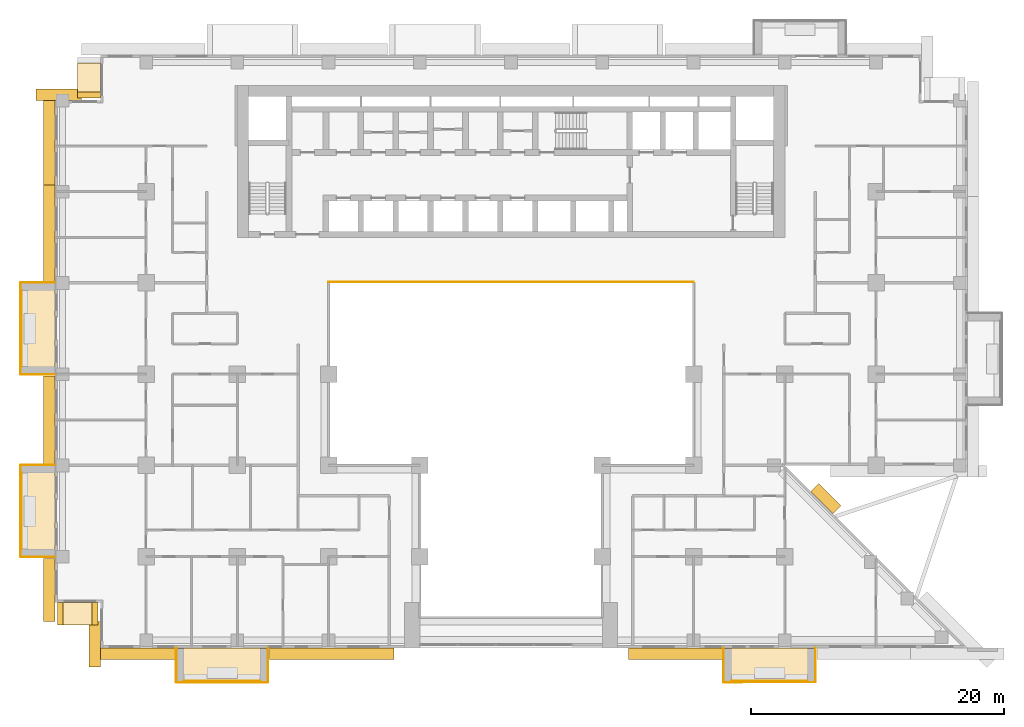
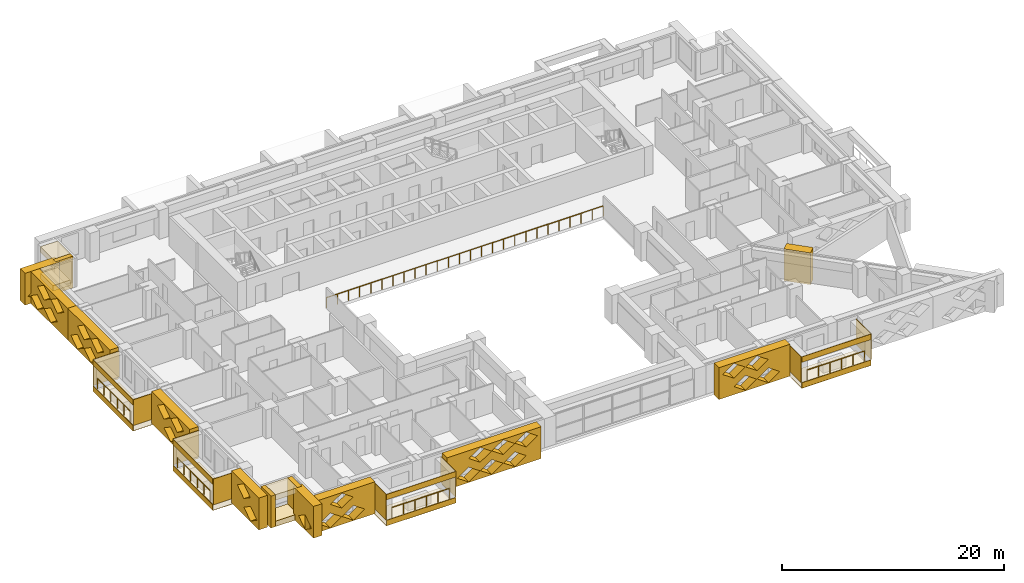
# One storey, part 13 of 16: 37 coverings, 5 railings.
"""IFC4 building model written with IfcOpenShell, lengths in metres."""

from ifc_helpers import new_model, si_unit, direction, frame, origin, origin_2d, place, context, subcontext, project, spatial, polyline, circle, outline, extrude, material, layer, layer_set, type_object, element, save


model = new_model("IFC4")

# Units and contexts
model_context = context("Model", 3, precision=1e-05, world=origin(), true_north=direction((0.0, 1.0)))
body_context = subcontext(model_context, "Body", "Model", "MODEL_VIEW")
ifc_project = project(units=[si_unit("LENGTHUNIT", "METRE"), si_unit("AREAUNIT", "SQUARE_METRE"), si_unit("VOLUMEUNIT", "CUBIC_METRE"), si_unit("PLANEANGLEUNIT", "RADIAN"), si_unit("MASSUNIT", "GRAM", prefix="KILO")], contexts=[model_context])

# Site, building, storey
site_placement = place(None, origin())
site = spatial("IfcSite", under=ifc_project, at=site_placement, CompositionType="ELEMENT")
building_placement = place(site_placement, origin())
building = spatial("IfcBuilding", under=site, at=building_placement, Name="Saffron Iwan Residences", CompositionType="ELEMENT")
storey_placement = place(building_placement, frame((0.0, 0.0, 69.0)))
storey = spatial("IfcBuildingStorey", under=building, at=storey_placement, Name="L17", CompositionType="ELEMENT", Elevation=69.0)

# Railings
ifc_material_1 = material(Name="Stainless steel 316", Category="steel")
railing_type_1 = type_object("IfcRailingType", Name="Atrium guard 1150", PredefinedType="GUARDRAIL", material=ifc_material_1)
railing_placement = place(storey_placement, frame((36.0, 62.47509765625, 0.0)))
element("IfcRailing", 1, at=railing_placement, inside=storey, type_object=railing_type_1, Name="Atrium guard L17", PredefinedType="GUARDRAIL", context=body_context, shape_type="SweptSolid", body=[
    extrude(circle(Radius=0.02392578125, at=origin_2d()), frame((0.0, 0.0, 1.1259765625), z_axis=(1.0, 0.0, 0.0), x_axis=(0.0, 1.0, 0.0)), (0.0, 0.0, 1.0), 28.800048828125),
    extrude(circle(Radius=0.02099609375, at=origin_2d()), origin(), (0.0, 0.0, 1.0), 1.101806640625),
    extrude(circle(Radius=0.02099609375, at=origin_2d()), frame((1.152099609375, 0.0, 0.0)), (0.0, 0.0, 1.0), 1.101806640625),
    extrude(circle(Radius=0.02099609375, at=origin_2d()), frame((2.303955078125, 0.0, 0.0)), (0.0, 0.0, 1.0), 1.101806640625),
    extrude(circle(Radius=0.02099609375, at=origin_2d()), frame((3.4560546875, 0.0, 0.0)), (0.0, 0.0, 1.0), 1.101806640625),
    extrude(circle(Radius=0.02099609375, at=origin_2d()), frame((4.60791015625, 0.0, 0.0)), (0.0, 0.0, 1.0), 1.101806640625),
    extrude(circle(Radius=0.02099609375, at=origin_2d()), frame((5.760009765625, 0.0, 0.0)), (0.0, 0.0, 1.0), 1.101806640625),
    extrude(circle(Radius=0.02099609375, at=origin_2d()), frame((6.912109375, 0.0, 0.0)), (0.0, 0.0, 1.0), 1.101806640625),
    extrude(circle(Radius=0.02099609375, at=origin_2d()), frame((8.06396484375, 0.0, 0.0)), (0.0, 0.0, 1.0), 1.101806640625),
    extrude(circle(Radius=0.02099609375, at=origin_2d()), frame((9.216064453125, 0.0, 0.0)), (0.0, 0.0, 1.0), 1.101806640625),
    extrude(circle(Radius=0.02099609375, at=origin_2d()), frame((10.367919921875, 0.0, 0.0)), (0.0, 0.0, 1.0), 1.101806640625),
    extrude(circle(Radius=0.02099609375, at=origin_2d()), frame((11.52001953125, 0.0, 0.0)), (0.0, 0.0, 1.0), 1.101806640625),
    extrude(circle(Radius=0.02099609375, at=origin_2d()), frame((12.672119140625, 0.0, 0.0)), (0.0, 0.0, 1.0), 1.101806640625),
    extrude(circle(Radius=0.02099609375, at=origin_2d()), frame((13.823974609375, 0.0, 0.0)), (0.0, 0.0, 1.0), 1.101806640625),
    extrude(circle(Radius=0.02099609375, at=origin_2d()), frame((14.97607421875, 0.0, 0.0)), (0.0, 0.0, 1.0), 1.101806640625),
    extrude(circle(Radius=0.02099609375, at=origin_2d()), frame((16.1279296875, 0.0, 0.0)), (0.0, 0.0, 1.0), 1.101806640625),
    extrude(circle(Radius=0.02099609375, at=origin_2d()), frame((17.280029296875, 0.0, 0.0)), (0.0, 0.0, 1.0), 1.101806640625),
    extrude(circle(Radius=0.02099609375, at=origin_2d()), frame((18.43212890625, 0.0, 0.0)), (0.0, 0.0, 1.0), 1.101806640625),
    extrude(circle(Radius=0.02099609375, at=origin_2d()), frame((19.583984375, 0.0, 0.0)), (0.0, 0.0, 1.0), 1.101806640625),
    extrude(circle(Radius=0.02099609375, at=origin_2d()), frame((20.736083984375, 0.0, 0.0)), (0.0, 0.0, 1.0), 1.101806640625),
    extrude(circle(Radius=0.02099609375, at=origin_2d()), frame((21.887939453125, 0.0, 0.0)), (0.0, 0.0, 1.0), 1.101806640625),
    extrude(circle(Radius=0.02099609375, at=origin_2d()), frame((23.0400390625, 0.0, 0.0)), (0.0, 0.0, 1.0), 1.101806640625),
    extrude(circle(Radius=0.02099609375, at=origin_2d()), frame((24.192138671875, 0.0, 0.0)), (0.0, 0.0, 1.0), 1.101806640625),
    extrude(circle(Radius=0.02099609375, at=origin_2d()), frame((25.343994140625, 0.0, 0.0)), (0.0, 0.0, 1.0), 1.101806640625),
    extrude(circle(Radius=0.02099609375, at=origin_2d()), frame((26.49609375, 0.0, 0.0)), (0.0, 0.0, 1.0), 1.101806640625),
    extrude(circle(Radius=0.02099609375, at=origin_2d()), frame((27.64794921875, 0.0, 0.0)), (0.0, 0.0, 1.0), 1.101806640625),
    extrude(circle(Radius=0.02099609375, at=origin_2d()), frame((28.800048828125, 0.0, 0.0)), (0.0, 0.0, 1.0), 1.101806640625),
])
railing_type_2 = type_object("IfcRailingType", Name="BALCONY GUARD 1150", PredefinedType="GUARDRAIL", material=ifc_material_1)
for number, where, name in (
    (2, (11.77490234375, 61.800048828125, 0.0), "Balcony guard L17 F8-0"),
    (3, (11.77490234375, 47.39990234375, 0.0), "Balcony guard L17 F8-1"),
):
    element("IfcRailing", number, at=place(storey_placement, frame(where)), inside=storey, type_object=railing_type_2, Name=name, PredefinedType="GUARDRAIL", context=body_context, shape_type="SweptSolid", body=[
        extrude(circle(Radius=0.02392578125, at=origin_2d()), frame((0.0, 0.0, 1.1259765625), z_axis=(0.0, -1.0, 0.0), x_axis=(1.0, 0.0, 0.0)), (0.0, 0.0, 1.0), 6.0),
        extrude(circle(Radius=0.02099609375, at=origin_2d()), origin(), (0.0, 0.0, 1.0), 1.101806640625),
        extrude(circle(Radius=0.02099609375, at=origin_2d()), frame((0.0, -1.199951171875, 0.0)), (0.0, 0.0, 1.0), 1.101806640625),
        extrude(circle(Radius=0.02099609375, at=origin_2d()), frame((0.0, -2.39990234375, 0.0)), (0.0, 0.0, 1.0), 1.101806640625),
        extrude(circle(Radius=0.02099609375, at=origin_2d()), frame((0.0, -3.60009765625, 0.0)), (0.0, 0.0, 1.0), 1.101806640625),
        extrude(circle(Radius=0.02099609375, at=origin_2d()), frame((0.0, -4.800048828125, 0.0)), (0.0, 0.0, 1.0), 1.101806640625),
        extrude(circle(Radius=0.02099609375, at=origin_2d()), frame((0.0, -6.0, 0.0)), (0.0, 0.0, 1.0), 1.101806640625),
    ])
for number, where, name in (
    (4, (24.60009765625, 30.97509765625, 0.0), "Balcony guard L17 11-0"),
    (5, (67.800048828125, 30.97509765625, 0.0), "Balcony guard L17 11-1"),
):
    element("IfcRailing", number, at=place(storey_placement, frame(where)), inside=storey, type_object=railing_type_2, Name=name, PredefinedType="GUARDRAIL", context=body_context, shape_type="SweptSolid", body=[
        extrude(circle(Radius=0.02392578125, at=origin_2d()), frame((0.0, 0.0, 1.1259765625), z_axis=(1.0, 0.0, 0.0), x_axis=(0.0, 1.0, 0.0)), (0.0, 0.0, 1.0), 6.0),
        extrude(circle(Radius=0.02099609375, at=origin_2d()), origin(), (0.0, 0.0, 1.0), 1.101806640625),
        extrude(circle(Radius=0.02099609375, at=origin_2d()), frame((1.199951171875, 0.0, 0.0)), (0.0, 0.0, 1.0), 1.101806640625),
        extrude(circle(Radius=0.02099609375, at=origin_2d()), frame((2.39990234375, 0.0, 0.0)), (0.0, 0.0, 1.0), 1.101806640625),
        extrude(circle(Radius=0.02099609375, at=origin_2d()), frame((3.60009765625, 0.0, 0.0)), (0.0, 0.0, 1.0), 1.101806640625),
        extrude(circle(Radius=0.02099609375, at=origin_2d()), frame((4.800048828125, 0.0, 0.0)), (0.0, 0.0, 1.0), 1.101806640625),
        extrude(circle(Radius=0.02099609375, at=origin_2d()), frame((6.0, 0.0, 0.0)), (0.0, 0.0, 1.0), 1.101806640625),
    ])

# Coverings
ifc_material_2 = material(Name="Precast concrete C40/50 white painted", Category="concrete")
ifc_layer = layer(ifc_material_2, 0.050048828125)
ifc_layer_set = layer_set([ifc_layer], Name="Precast concrete C40/50 white painted")
covering_type_1 = type_object("IfcCoveringType", Name="FRAME SKIN PRECAST WHITE 50", PredefinedType="CLADDING", material=ifc_layer_set)
for number, where, name in (
    (6, (0.0, 0.0, -0.60009765625), "Frame skin slab edge L17 F8-0"),
    (7, (0.0, 0.0, 2.25), "Frame skin fascia L17 F8-0"),
):
    element("IfcCovering", number, at=place(storey_placement, frame(where)), inside=storey, type_object=covering_type_1, Name=name, PredefinedType="CLADDING", context=body_context, shape_type="SweptSolid", body=[
        extrude(outline(polyline([(11.64990234375, 62.39990234375), (11.64990234375, 55.199951171875), (11.699951171875, 55.199951171875), (11.699951171875, 62.39990234375), (11.64990234375, 62.39990234375)])), origin(), (0.0, 0.0, 1.0), 0.60009765625),
    ])
covering_1_placement = place(storey_placement, frame((0.0, 0.0, -0.64990234375)))
element("IfcCovering", 8, at=covering_1_placement, inside=storey, type_object=covering_type_1, Name="Frame skin soffit L17 F8-0", PredefinedType="CLADDING", context=body_context, shape_type="SweptSolid", body=[
    extrude(outline(polyline([(11.699951171875, 62.39990234375), (11.699951171875, 55.199951171875), (14.39990234375, 55.199951171875), (14.39990234375, 62.39990234375), (11.699951171875, 62.39990234375)])), origin(), (0.0, 0.0, 1.0), 0.0498046875),
])
covering_2_placement = place(storey_placement, origin())
element("IfcCovering", 9, at=covering_2_placement, inside=storey, type_object=covering_type_1, Name="Frame skin fin L17 F8-0a", PredefinedType="CLADDING", context=body_context, shape_type="SweptSolid", body=[
    extrude(outline(polyline([(11.699951171875, 62.449951171875), (11.699951171875, 62.39990234375), (14.39990234375, 62.39990234375), (14.39990234375, 62.449951171875), (11.699951171875, 62.449951171875)])), origin(), (0.0, 0.0, 1.0), 2.85009765625),
])
covering_3_placement = place(storey_placement, origin())
element("IfcCovering", 10, at=covering_3_placement, inside=storey, type_object=covering_type_1, Name="Frame skin fin L17 F8-0b", PredefinedType="CLADDING", context=body_context, shape_type="SweptSolid", body=[
    extrude(outline(polyline([(11.699951171875, 55.199951171875), (11.699951171875, 55.14990234375), (14.39990234375, 55.14990234375), (14.39990234375, 55.199951171875), (11.699951171875, 55.199951171875)])), origin(), (0.0, 0.0, 1.0), 2.85009765625),
])
for number, where, name in (
    (11, (0.0, 0.0, -0.60009765625), "Frame skin slab edge L17 F8-1"),
    (12, (0.0, 0.0, 2.25), "Frame skin fascia L17 F8-1"),
):
    element("IfcCovering", number, at=place(storey_placement, frame(where)), inside=storey, type_object=covering_type_1, Name=name, PredefinedType="CLADDING", context=body_context, shape_type="SweptSolid", body=[
        extrude(outline(polyline([(11.64990234375, 48.0), (11.64990234375, 40.800048828125), (11.699951171875, 40.800048828125), (11.699951171875, 48.0), (11.64990234375, 48.0)])), origin(), (0.0, 0.0, 1.0), 0.60009765625),
    ])
covering_4_placement = place(storey_placement, frame((0.0, 0.0, -0.64990234375)))
element("IfcCovering", 13, at=covering_4_placement, inside=storey, type_object=covering_type_1, Name="Frame skin soffit L17 F8-1", PredefinedType="CLADDING", context=body_context, shape_type="SweptSolid", body=[
    extrude(outline(polyline([(11.699951171875, 48.0), (11.699951171875, 40.800048828125), (14.39990234375, 40.800048828125), (14.39990234375, 48.0), (11.699951171875, 48.0)])), origin(), (0.0, 0.0, 1.0), 0.0498046875),
])
covering_5_placement = place(storey_placement, origin())
element("IfcCovering", 14, at=covering_5_placement, inside=storey, type_object=covering_type_1, Name="Frame skin fin L17 F8-1a", PredefinedType="CLADDING", context=body_context, shape_type="SweptSolid", body=[
    extrude(outline(polyline([(11.699951171875, 48.050048828125), (11.699951171875, 48.0), (14.39990234375, 48.0), (14.39990234375, 48.050048828125), (11.699951171875, 48.050048828125)])), origin(), (0.0, 0.0, 1.0), 2.85009765625),
])
covering_6_placement = place(storey_placement, origin())
element("IfcCovering", 15, at=covering_6_placement, inside=storey, type_object=covering_type_1, Name="Frame skin fin L17 F8-1b", PredefinedType="CLADDING", context=body_context, shape_type="SweptSolid", body=[
    extrude(outline(polyline([(11.699951171875, 40.800048828125), (11.699951171875, 40.75), (14.39990234375, 40.75), (14.39990234375, 40.800048828125), (11.699951171875, 40.800048828125)])), origin(), (0.0, 0.0, 1.0), 2.85009765625),
])
for number, where, name in (
    (16, (0.0, 0.0, -0.60009765625), "Frame skin slab edge L17 11-0"),
    (17, (0.0, 0.0, 2.25), "Frame skin fascia L17 11-0"),
):
    element("IfcCovering", number, at=place(storey_placement, frame(where)), inside=storey, type_object=covering_type_1, Name=name, PredefinedType="CLADDING", context=body_context, shape_type="SweptSolid", body=[
        extrude(outline(polyline([(24.0, 30.85009765625), (31.199951171875, 30.85009765625), (31.199951171875, 30.89990234375), (24.0, 30.89990234375), (24.0, 30.85009765625)])), origin(), (0.0, 0.0, 1.0), 0.60009765625),
    ])
covering_7_placement = place(storey_placement, frame((0.0, 0.0, -0.64990234375)))
element("IfcCovering", 18, at=covering_7_placement, inside=storey, type_object=covering_type_1, Name="Frame skin soffit L17 11-0", PredefinedType="CLADDING", context=body_context, shape_type="SweptSolid", body=[
    extrude(outline(polyline([(24.0, 30.89990234375), (31.199951171875, 30.89990234375), (31.199951171875, 33.60009765625), (24.0, 33.60009765625), (24.0, 30.89990234375)])), origin(), (0.0, 0.0, 1.0), 0.0498046875),
])
covering_8_placement = place(storey_placement, origin())
element("IfcCovering", 19, at=covering_8_placement, inside=storey, type_object=covering_type_1, Name="Frame skin fin L17 11-0a", PredefinedType="CLADDING", context=body_context, shape_type="SweptSolid", body=[
    extrude(outline(polyline([(23.949951171875, 30.89990234375), (24.0, 30.89990234375), (24.0, 33.60009765625), (23.949951171875, 33.60009765625), (23.949951171875, 30.89990234375)])), origin(), (0.0, 0.0, 1.0), 2.85009765625),
])
covering_9_placement = place(storey_placement, origin())
element("IfcCovering", 20, at=covering_9_placement, inside=storey, type_object=covering_type_1, Name="Frame skin fin L17 11-0b", PredefinedType="CLADDING", context=body_context, shape_type="SweptSolid", body=[
    extrude(outline(polyline([(31.199951171875, 30.89990234375), (31.25, 30.89990234375), (31.25, 33.60009765625), (31.199951171875, 33.60009765625), (31.199951171875, 30.89990234375)])), origin(), (0.0, 0.0, 1.0), 2.85009765625),
])
for number, where, name in (
    (21, (0.0, 0.0, -0.60009765625), "Frame skin slab edge L17 11-1"),
    (22, (0.0, 0.0, 2.25), "Frame skin fascia L17 11-1"),
):
    element("IfcCovering", number, at=place(storey_placement, frame(where)), inside=storey, type_object=covering_type_1, Name=name, PredefinedType="CLADDING", context=body_context, shape_type="SweptSolid", body=[
        extrude(outline(polyline([(67.199951171875, 30.85009765625), (74.39990234375, 30.85009765625), (74.39990234375, 30.89990234375), (67.199951171875, 30.89990234375), (67.199951171875, 30.85009765625)])), origin(), (0.0, 0.0, 1.0), 0.60009765625),
    ])
covering_10_placement = place(storey_placement, frame((0.0, 0.0, -0.64990234375)))
element("IfcCovering", 23, at=covering_10_placement, inside=storey, type_object=covering_type_1, Name="Frame skin soffit L17 11-1", PredefinedType="CLADDING", context=body_context, shape_type="SweptSolid", body=[
    extrude(outline(polyline([(67.199951171875, 30.89990234375), (74.39990234375, 30.89990234375), (74.39990234375, 33.60009765625), (67.199951171875, 33.60009765625), (67.199951171875, 30.89990234375)])), origin(), (0.0, 0.0, 1.0), 0.0498046875),
])
covering_11_placement = place(storey_placement, origin())
element("IfcCovering", 24, at=covering_11_placement, inside=storey, type_object=covering_type_1, Name="Frame skin fin L17 11-1a", PredefinedType="CLADDING", context=body_context, shape_type="SweptSolid", body=[
    extrude(outline(polyline([(67.14990234375, 30.89990234375), (67.199951171875, 30.89990234375), (67.199951171875, 33.60009765625), (67.14990234375, 33.60009765625), (67.14990234375, 30.89990234375)])), origin(), (0.0, 0.0, 1.0), 2.85009765625),
])
covering_12_placement = place(storey_placement, origin())
element("IfcCovering", 25, at=covering_12_placement, inside=storey, type_object=covering_type_1, Name="Frame skin fin L17 11-1b", PredefinedType="CLADDING", context=body_context, shape_type="SweptSolid", body=[
    extrude(outline(polyline([(74.39990234375, 30.89990234375), (74.449951171875, 30.89990234375), (74.449951171875, 33.60009765625), (74.39990234375, 33.60009765625), (74.39990234375, 30.89990234375)])), origin(), (0.0, 0.0, 1.0), 2.85009765625),
])
ifc_material_3 = material(Name="Precast concrete C40/50", Category="concrete")
covering_type_2 = type_object("IfcCoveringType", Name="OUTER SKIN LATTICE SCREEN", PredefinedType="CLADDING", material=ifc_material_3)
covering_13_placement = place(storey_placement, frame((75.805908203125, 44.194091796875, -0.320068359375), z_axis=(0.707106781187, 0.707106781187, 0.0), x_axis=(-0.707106781187, 0.707106781187, 0.0)))
element("IfcCovering", 26, at=covering_13_placement, inside=storey, type_object=covering_type_2, Name="OUTER SKIN lattice screen L17 F0.1", PredefinedType="CLADDING", context=body_context, shape_type="SweptSolid", body=[
    extrude(outline(polyline([(0.0, 0.0), (2.4853515625, 0.0), (2.4853515625, 3.5), (0.0, 3.5), (0.0, 0.0)])), origin(), (0.0, 0.0, 1.0), 0.900146484375),
])
covering_14_placement = place(storey_placement, frame((16.5, 76.800048828125, -0.320068359375), z_axis=(0.0, 1.0, 0.0), x_axis=(-1.0, 0.0, 0.0)))
element("IfcCovering", 27, at=covering_14_placement, inside=storey, type_object=covering_type_2, Name="OUTER SKIN lattice screen L17 F7.0", PredefinedType="CLADDING", context=body_context, shape_type="SweptSolid", body=[
    extrude(outline(polyline([(0.0, 0.0), (3.60009765625, 0.0), (3.60009765625, 3.5), (0.0, 3.5), (0.0, 0.0)]), holes=[polyline([(0.919921875, 0.875), (2.10009765625, 0.06005859375), (3.280029296875, 0.875), (2.10009765625, 1.68994140625), (0.919921875, 0.875)])]), origin(), (0.0, 0.0, 1.0), 0.89990234375),
])
covering_15_placement = place(storey_placement, frame((14.39990234375, 77.699951171875, -0.320068359375), z_axis=(-1.0, 0.0, 0.0), x_axis=(0.0, -1.0, 0.0)))
element("IfcCovering", 28, at=covering_15_placement, inside=storey, type_object=covering_type_2, Name="OUTER SKIN lattice screen L17 F8.0", PredefinedType="CLADDING", context=body_context, shape_type="SweptSolid", body=[
    extrude(outline(polyline([(0.0, 0.0), (7.574951171875, 0.0), (7.574951171875, 3.5), (0.0, 3.5), (0.0, 0.0)]), holes=[polyline([(0.919921875, 0.875), (2.10009765625, 0.06005859375), (3.280029296875, 0.875), (2.10009765625, 1.68994140625), (0.919921875, 0.875)]), polyline([(3.320068359375, 0.875), (4.5, 0.06005859375), (5.679931640625, 0.875), (4.5, 1.68994140625), (3.320068359375, 0.875)]), polyline([(2.1201171875, 2.625), (3.300048828125, 1.81005859375), (4.47998046875, 2.625), (3.300048828125, 3.43994140625), (2.1201171875, 2.625)]), polyline([(4.52001953125, 2.625), (5.699951171875, 1.81005859375), (6.8798828125, 2.625), (5.699951171875, 3.43994140625), (4.52001953125, 2.625)])]), origin(), (0.0, 0.0, 1.0), 0.89990234375),
])
covering_16_placement = place(storey_placement, frame((14.39990234375, 70.125, -0.320068359375), z_axis=(-1.0, 0.0, 0.0), x_axis=(0.0, -1.0, 0.0)))
element("IfcCovering", 29, at=covering_16_placement, inside=storey, type_object=covering_type_2, Name="OUTER SKIN lattice screen L17 F8.1", PredefinedType="CLADDING", context=body_context, shape_type="SweptSolid", body=[
    extrude(outline(polyline([(0.0, 0.0), (7.574951171875, 0.0), (7.574951171875, 3.5), (0.0, 3.5), (0.0, 0.0)]), holes=[polyline([(0.544921875, 0.875), (1.72509765625, 0.06005859375), (2.905029296875, 0.875), (1.72509765625, 1.68994140625), (0.544921875, 0.875)]), polyline([(2.945068359375, 0.875), (4.125, 0.06005859375), (5.304931640625, 0.875), (4.125, 1.68994140625), (2.945068359375, 0.875)]), polyline([(1.7451171875, 2.625), (2.925048828125, 1.81005859375), (4.10498046875, 2.625), (2.925048828125, 3.43994140625), (1.7451171875, 2.625)]), polyline([(4.14501953125, 2.625), (5.324951171875, 1.81005859375), (6.5048828125, 2.625), (5.324951171875, 3.43994140625), (4.14501953125, 2.625)])]), origin(), (0.0, 0.0, 1.0), 0.89990234375),
])
covering_17_placement = place(storey_placement, frame((14.39990234375, 55.050048828125, -0.320068359375), z_axis=(-1.0, 0.0, 0.0), x_axis=(0.0, -1.0, 0.0)))
element("IfcCovering", 30, at=covering_17_placement, inside=storey, type_object=covering_type_2, Name="OUTER SKIN lattice screen L17 F8.2", PredefinedType="CLADDING", context=body_context, shape_type="SweptSolid", body=[
    extrude(outline(polyline([(0.0, 0.0), (6.89990234375, 0.0), (6.89990234375, 3.5), (0.0, 3.5), (0.0, 0.0)]), holes=[polyline([(2.27001953125, 0.875), (3.449951171875, 0.06005859375), (4.6298828125, 0.875), (3.449951171875, 1.68994140625), (2.27001953125, 0.875)]), polyline([(1.070068359375, 2.625), (2.25, 1.81005859375), (3.429931640625, 2.625), (2.25, 3.43994140625), (1.070068359375, 2.625)]), polyline([(3.469970703125, 2.625), (4.64990234375, 1.81005859375), (5.830078125, 2.625), (4.64990234375, 3.43994140625), (3.469970703125, 2.625)])]), origin(), (0.0, 0.0, 1.0), 0.89990234375),
])
covering_18_placement = place(storey_placement, frame((14.39990234375, 40.64990234375, -0.320068359375), z_axis=(-1.0, 0.0, 0.0), x_axis=(0.0, -1.0, 0.0)))
element("IfcCovering", 31, at=covering_18_placement, inside=storey, type_object=covering_type_2, Name="OUTER SKIN lattice screen L17 F8.3", PredefinedType="CLADDING", context=body_context, shape_type="SweptSolid", body=[
    extrude(outline(polyline([(0.0, 0.0), (4.949951171875, 0.0), (4.949951171875, 3.5), (0.0, 3.5), (0.0, 0.0)]), holes=[polyline([(2.27001953125, 0.875), (3.449951171875, 0.06005859375), (4.6298828125, 0.875), (3.449951171875, 1.68994140625), (2.27001953125, 0.875)]), polyline([(1.070068359375, 2.625), (2.25, 1.81005859375), (3.429931640625, 2.625), (2.25, 3.43994140625), (1.070068359375, 2.625)])]), origin(), (0.0, 0.0, 1.0), 0.89990234375),
])
covering_19_placement = place(storey_placement, frame((18.0, 35.699951171875, -0.320068359375), z_axis=(-1.0, 0.0, 0.0), x_axis=(0.0, -1.0, 0.0)))
element("IfcCovering", 32, at=covering_19_placement, inside=storey, type_object=covering_type_2, Name="OUTER SKIN lattice screen L17 F10.0", PredefinedType="CLADDING", context=body_context, shape_type="SweptSolid", body=[
    extrude(outline(polyline([(0.0, 0.0), (3.60009765625, 0.0), (3.60009765625, 3.5), (0.0, 3.5), (0.0, 0.0)]), holes=[polyline([(0.919921875, 0.875), (2.10009765625, 0.06005859375), (3.280029296875, 0.875), (2.10009765625, 1.68994140625), (0.919921875, 0.875)])]), origin(), (0.0, 0.0, 1.0), 0.89990234375),
])
covering_20_placement = place(storey_placement, frame((17.10009765625, 33.60009765625, -0.320068359375), z_axis=(0.0, -1.0, 0.0), x_axis=(1.0, 0.0, 0.0)))
element("IfcCovering", 33, at=covering_20_placement, inside=storey, type_object=covering_type_2, Name="OUTER SKIN lattice screen L17 F11.0", PredefinedType="CLADDING", context=body_context, shape_type="SweptSolid", body=[
    extrude(outline(polyline([(0.0, 0.0), (6.75, 0.0), (6.75, 3.5), (0.0, 3.5), (0.0, 0.0)]), holes=[polyline([(0.919921875, 0.875), (2.10009765625, 0.06005859375), (3.280029296875, 0.875), (2.10009765625, 1.68994140625), (0.919921875, 0.875)]), polyline([(3.320068359375, 0.875), (4.5, 0.06005859375), (5.679931640625, 0.875), (4.5, 1.68994140625), (3.320068359375, 0.875)]), polyline([(2.1201171875, 2.625), (3.300048828125, 1.81005859375), (4.47998046875, 2.625), (3.300048828125, 3.43994140625), (2.1201171875, 2.625)])]), origin(), (0.0, 0.0, 1.0), 0.900146484375),
])
covering_21_placement = place(storey_placement, frame((31.35009765625, 33.60009765625, -0.320068359375), z_axis=(0.0, -1.0, 0.0), x_axis=(1.0, 0.0, 0.0)))
element("IfcCovering", 34, at=covering_21_placement, inside=storey, type_object=covering_type_2, Name="OUTER SKIN lattice screen L17 F11.1", PredefinedType="CLADDING", context=body_context, shape_type="SweptSolid", body=[
    extrude(outline(polyline([(0.0, 0.0), (9.800048828125, 0.0), (9.800048828125, 3.5), (0.0, 3.5), (0.0, 0.0)]), holes=[polyline([(1.070068359375, 0.875), (2.25, 0.06005859375), (3.429931640625, 0.875), (2.25, 1.68994140625), (1.070068359375, 0.875)]), polyline([(3.469970703125, 0.875), (4.64990234375, 0.06005859375), (5.830078125, 0.875), (4.64990234375, 1.68994140625), (3.469970703125, 0.875)]), polyline([(5.8701171875, 0.875), (7.050048828125, 0.06005859375), (8.22998046875, 0.875), (7.050048828125, 1.68994140625), (5.8701171875, 0.875)]), polyline([(2.27001953125, 2.625), (3.449951171875, 1.81005859375), (4.6298828125, 2.625), (3.449951171875, 3.43994140625), (2.27001953125, 2.625)]), polyline([(4.669921875, 2.625), (5.85009765625, 1.81005859375), (7.030029296875, 2.625), (5.85009765625, 3.43994140625), (4.669921875, 2.625)]), polyline([(7.070068359375, 2.625), (8.25, 1.81005859375), (9.429931640625, 2.625), (8.25, 3.43994140625), (7.070068359375, 2.625)])]), origin(), (0.0, 0.0, 1.0), 0.900146484375),
])
covering_22_placement = place(storey_placement, frame((59.64990234375, 33.60009765625, -0.320068359375), z_axis=(0.0, -1.0, 0.0), x_axis=(1.0, 0.0, 0.0)))
element("IfcCovering", 35, at=covering_22_placement, inside=storey, type_object=covering_type_2, Name="OUTER SKIN lattice screen L17 F11.2", PredefinedType="CLADDING", context=body_context, shape_type="SweptSolid", body=[
    extrude(outline(polyline([(0.0, 0.0), (7.39990234375, 0.0), (7.39990234375, 3.5), (0.0, 3.5), (0.0, 0.0)]), holes=[polyline([(1.570068359375, 0.875), (2.75, 0.06005859375), (3.929931640625, 0.875), (2.75, 1.68994140625), (1.570068359375, 0.875)]), polyline([(3.969970703125, 0.875), (5.14990234375, 0.06005859375), (6.330078125, 0.875), (5.14990234375, 1.68994140625), (3.969970703125, 0.875)]), polyline([(0.3701171875, 2.625), (1.550048828125, 1.81005859375), (2.72998046875, 2.625), (1.550048828125, 3.43994140625), (0.3701171875, 2.625)]), polyline([(2.77001953125, 2.625), (3.949951171875, 1.81005859375), (5.1298828125, 2.625), (3.949951171875, 3.43994140625), (2.77001953125, 2.625)])]), origin(), (0.0, 0.0, 1.0), 0.900146484375),
])
covering_type_3 = type_object("IfcCoveringType", Name="WHITE SUN FRAME PRECAST", PredefinedType="CLADDING", material=ifc_material_2)
covering_23_placement = place(storey_placement, frame((18.0, 77.449951171875, -0.320068359375), z_axis=(-1.0, 0.0, 0.0), x_axis=(0.0, -1.0, 0.0)))
element("IfcCovering", 36, at=covering_23_placement, inside=storey, type_object=covering_type_3, Name="Sun frame L17 F6 0.2b", PredefinedType="CLADDING", context=body_context, shape_type="SweptSolid", body=[
    extrude(outline(polyline([(0.0, 0.0), (0.449951171875, 0.0), (0.449951171875, 3.5), (0.0, 3.5), (0.0, 0.0)])), origin(), (0.0, 0.0, 1.0), 1.800048828125),
])
for number, where, z_axis, x_axis, name in (
    (37, (18.0, 79.75, 2.580078125), (-1.0, 0.0, 0.0), (0.0, -1.0, 0.0), "Sun frame L17 F6 0.2h"),
    (38, (18.0, 79.75, -0.320068359375), (-1.0, 0.0, 0.0), (0.0, -1.0, 0.0), "Sun frame L17 F6 0.2s"),
):
    element("IfcCovering", number, at=place(storey_placement, frame(where, z_axis=z_axis, x_axis=x_axis)), inside=storey, type_object=covering_type_3, Name=name, PredefinedType="CLADDING", context=body_context, shape_type="SweptSolid", body=[
        extrude(outline(polyline([(0.0, 0.0), (2.300048828125, 0.0), (2.300048828125, 0.60009765625), (0.0, 0.60009765625), (0.0, 0.0)])), origin(), (0.0, 0.0, 1.0), 1.800048828125),
    ])
for number, where, z_axis, x_axis, name in (
    (39, (14.60009765625, 37.199951171875, -0.320068359375), (0.0, -1.0, 0.0), (1.0, 0.0, 0.0), "Sun frame L17 F9 0.2a"),
    (40, (17.35009765625, 37.199951171875, -0.320068359375), (0.0, -1.0, 0.0), (1.0, 0.0, 0.0), "Sun frame L17 F9 0.2b"),
):
    element("IfcCovering", number, at=place(storey_placement, frame(where, z_axis=z_axis, x_axis=x_axis)), inside=storey, type_object=covering_type_3, Name=name, PredefinedType="CLADDING", context=body_context, shape_type="SweptSolid", body=[
        extrude(outline(polyline([(0.0, 0.0), (0.449951171875, 0.0), (0.449951171875, 3.5), (0.0, 3.5), (0.0, 0.0)])), origin(), (0.0, 0.0, 1.0), 1.800048828125),
    ])
for number, where, z_axis, x_axis, name in (
    (41, (15.050048828125, 37.199951171875, 2.580078125), (0.0, -1.0, 0.0), (1.0, 0.0, 0.0), "Sun frame L17 F9 0.2h"),
    (42, (15.050048828125, 37.199951171875, -0.320068359375), (0.0, -1.0, 0.0), (1.0, 0.0, 0.0), "Sun frame L17 F9 0.2s"),
):
    element("IfcCovering", number, at=place(storey_placement, frame(where, z_axis=z_axis, x_axis=x_axis)), inside=storey, type_object=covering_type_3, Name=name, PredefinedType="CLADDING", context=body_context, shape_type="SweptSolid", body=[
        extrude(outline(polyline([(0.0, 0.0), (2.300048828125, 0.0), (2.300048828125, 0.60009765625), (0.0, 0.60009765625), (0.0, 0.0)])), origin(), (0.0, 0.0, 1.0), 1.800048828125),
    ])

save(model, "model.ifc")
